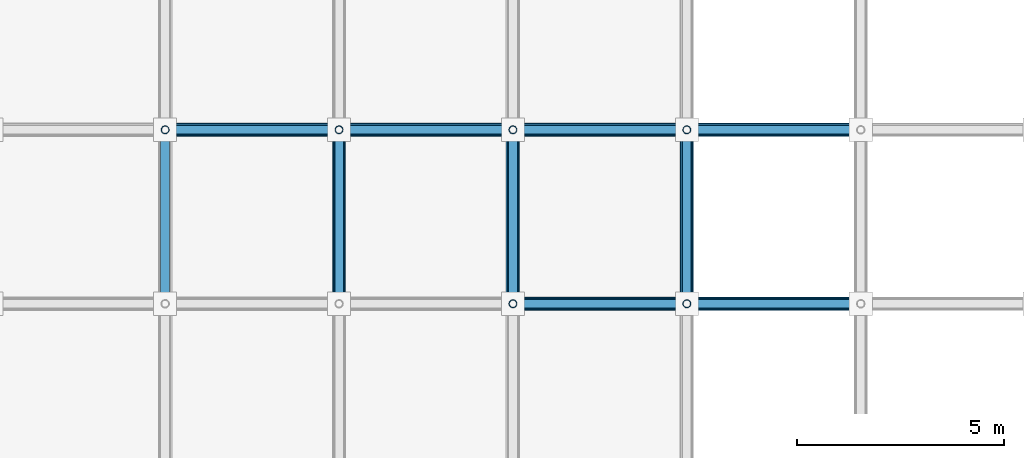
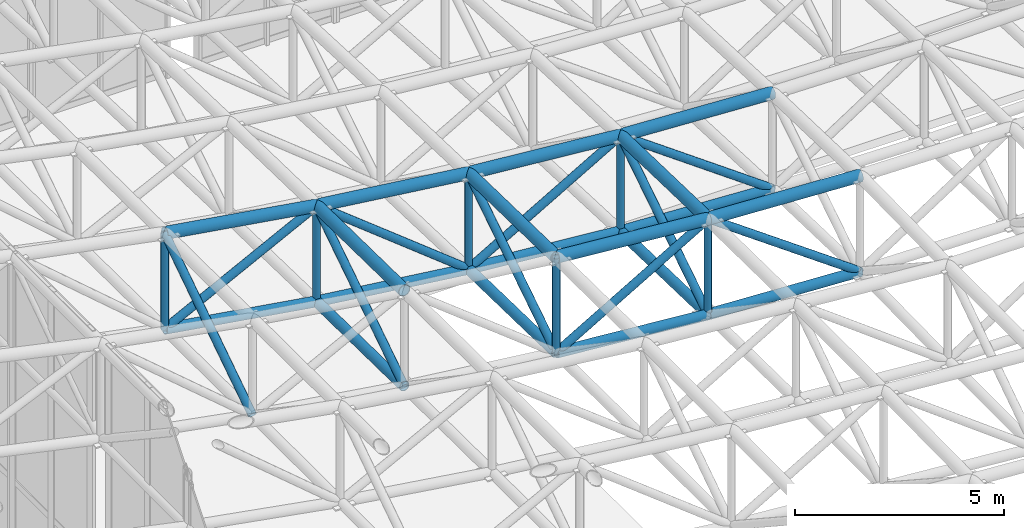
# One storey, part 25 of 93: 34 members.
"""IFC4 building model written with IfcOpenShell, lengths in metres."""

from ifc_helpers import new_model, si_unit, direction, frame, origin, origin_2d, place, context, subcontext, project, spatial, hollow_circle, extrude, material, material_profile, profile_set, type_object, element, save


model = new_model("IFC4")

# Units and contexts
model_context = context("Model", 3, precision=1e-05, world=origin(), true_north=direction((0.0, 1.0)))
body_context = subcontext(model_context, "Body", "Model", "MODEL_VIEW")
ifc_project = project(units=[si_unit("LENGTHUNIT", "METRE"), si_unit("AREAUNIT", "SQUARE_METRE"), si_unit("VOLUMEUNIT", "CUBIC_METRE"), si_unit("PLANEANGLEUNIT", "RADIAN"), si_unit("MASSUNIT", "GRAM", prefix="KILO")], contexts=[model_context])

# Site, building, storey
site_placement = place(None, origin())
site = spatial("IfcSite", under=ifc_project, at=site_placement, CompositionType="ELEMENT")
building_placement = place(site_placement, origin())
building = spatial("IfcBuilding", under=site, at=building_placement, Name="Cumbredor Promenade Congress Hotel", CompositionType="ELEMENT")
storey_placement = place(building_placement, frame((0.0, 0.0, 21.840087890625)))
storey = spatial("IfcBuildingStorey", under=building, at=storey_placement, Name="L06", CompositionType="ELEMENT", Elevation=21.840087890625)

# Members
ifc_material = material(Name="Steel ASTM A500 Grade C", Category="steel")
ifc_material_profile_1 = material_profile(ifc_material, hollow_circle(Radius=0.136474609375, WallThickness=0.01611328125, at=origin_2d()), Name="CHS 273.0x16")
ifc_profile_set_1 = profile_set([ifc_material_profile_1], Name="Steel ASTM A500 Grade C")
member_type_1 = type_object("IfcMemberType", Name="Plenary Roof Space Frame Bottom Chord", PredefinedType="CHORD", material=ifc_profile_set_1)
member_1_placement = place(storey_placement, frame((21.0, 42.0, 8.49560546875), z_axis=(0.996534162961, 0.0, -0.083184506075), x_axis=(0.0, 1.0, 0.0)))
element("IfcMember", 1, at=member_1_placement, inside=storey, type_object=member_type_1, Name="Plenary Congress Hall X Bottom Chord 7.11", PredefinedType="CHORD", context=body_context, shape_type="SweptSolid", body=[
    extrude(hollow_circle(Radius=0.136474609375, WallThickness=0.01611328125, at=origin_2d()), origin(), (0.0, 0.0, 1.0), 4.214599609375),
])
member_2_placement = place(storey_placement, frame((25.199951171875, 42.0, 8.14501953125), z_axis=(0.998749876407, 0.0, -0.049986842038), x_axis=(0.0, 1.0, 0.0)))
element("IfcMember", 2, at=member_2_placement, inside=storey, type_object=member_type_1, Name="Plenary Congress Hall X Bottom Chord 8.11", PredefinedType="CHORD", context=body_context, shape_type="SweptSolid", body=[
    extrude(hollow_circle(Radius=0.136474609375, WallThickness=0.01611328125, at=origin_2d()), origin(), (0.0, 0.0, 1.0), 4.205322265625),
])
member_3_placement = place(storey_placement, frame((12.60009765625, 46.199951171875, 9.58740234375), z_axis=(0.987578889186, 0.0, -0.157123956269), x_axis=(0.0, 1.0, 0.0)))
element("IfcMember", 3, at=member_3_placement, inside=storey, type_object=member_type_1, Name="Plenary Congress Hall X Bottom Chord 5.12", PredefinedType="CHORD", context=body_context, shape_type="SweptSolid", body=[
    extrude(hollow_circle(Radius=0.136474609375, WallThickness=0.01611328125, at=origin_2d()), origin(), (0.0, 0.0, 1.0), 4.252685546875),
])
member_4_placement = place(storey_placement, frame((16.800048828125, 46.199951171875, 8.919189453125), z_axis=(0.992435931335, 0.0, -0.12276368435), x_axis=(0.0, 1.0, 0.0)))
element("IfcMember", 4, at=member_4_placement, inside=storey, type_object=member_type_1, Name="Plenary Congress Hall X Bottom Chord 6.12", PredefinedType="CHORD", context=body_context, shape_type="SweptSolid", body=[
    extrude(hollow_circle(Radius=0.136474609375, WallThickness=0.01611328125, at=origin_2d()), origin(), (0.0, 0.0, 1.0), 4.23193359375),
])
member_5_placement = place(storey_placement, frame((21.0, 46.199951171875, 8.399658203125), z_axis=(0.996124331019, 0.0, -0.087956336617), x_axis=(0.0, 1.0, 0.0)))
element("IfcMember", 5, at=member_5_placement, inside=storey, type_object=member_type_1, Name="Plenary Congress Hall X Bottom Chord 7.12", PredefinedType="CHORD", context=body_context, shape_type="SweptSolid", body=[
    extrude(hollow_circle(Radius=0.136474609375, WallThickness=0.01611328125, at=origin_2d()), origin(), (0.0, 0.0, 1.0), 4.21630859375),
])
member_6_placement = place(storey_placement, frame((25.199951171875, 46.199951171875, 8.02880859375), z_axis=(0.998597712555, 0.0, -0.052939668305), x_axis=(0.0, 1.0, 0.0)))
element("IfcMember", 6, at=member_6_placement, inside=storey, type_object=member_type_1, Name="Plenary Congress Hall X Bottom Chord 8.12", PredefinedType="CHORD", context=body_context, shape_type="SweptSolid", body=[
    extrude(hollow_circle(Radius=0.136474609375, WallThickness=0.01611328125, at=origin_2d()), origin(), (0.0, 0.0, 1.0), 4.205810546875),
])
member_7_placement = place(storey_placement, frame((16.800048828125, 42.0, 8.98583984375), z_axis=(0.0, 0.999874106038, -0.015867327265), x_axis=(-1.0, 0.0, 0.0)))
element("IfcMember", 7, at=member_7_placement, inside=storey, type_object=member_type_1, Name="Plenary Congress Hall Y Bottom Chord 6.11", PredefinedType="CHORD", context=body_context, shape_type="SweptSolid", body=[
    extrude(hollow_circle(Radius=0.136474609375, WallThickness=0.01611328125, at=origin_2d()), origin(), (0.0, 0.0, 1.0), 4.200439453125),
])
member_8_placement = place(storey_placement, frame((21.0, 42.0, 8.49560546875), z_axis=(0.0, 0.999739158447, -0.022838893755), x_axis=(-1.0, 0.0, 0.0)))
element("IfcMember", 8, at=member_8_placement, inside=storey, type_object=member_type_1, Name="Plenary Congress Hall Y Bottom Chord 7.11", PredefinedType="CHORD", context=body_context, shape_type="SweptSolid", body=[
    extrude(hollow_circle(Radius=0.136474609375, WallThickness=0.01611328125, at=origin_2d()), origin(), (0.0, 0.0, 1.0), 4.200927734375),
])
member_9_placement = place(storey_placement, frame((25.199951171875, 42.0, 8.14501953125), z_axis=(0.0, 0.999617416492, -0.027659006583), x_axis=(-1.0, 0.0, 0.0)))
element("IfcMember", 9, at=member_9_placement, inside=storey, type_object=member_type_1, Name="Plenary Congress Hall Y Bottom Chord 8.11", PredefinedType="CHORD", context=body_context, shape_type="SweptSolid", body=[
    extrude(hollow_circle(Radius=0.136474609375, WallThickness=0.01611328125, at=origin_2d()), origin(), (0.0, 0.0, 1.0), 4.20166015625),
])
ifc_material_profile_2 = material_profile(ifc_material, hollow_circle(Radius=0.161865234375, WallThickness=0.01611328125, at=origin_2d()), Name="CHS 323.9x16")
ifc_profile_set_2 = profile_set([ifc_material_profile_2], Name="Steel ASTM A500 Grade C")
member_type_2 = type_object("IfcMemberType", Name="Plenary Roof Space Frame Top Chord", PredefinedType="CHORD", material=ifc_profile_set_2)
member_10_placement = place(storey_placement, frame((21.0, 42.0, 11.29541015625), z_axis=(0.996538963329, 0.0, -0.083126978572), x_axis=(0.0, 1.0, 0.0)))
element("IfcMember", 10, at=member_10_placement, inside=storey, type_object=member_type_2, Name="Plenary Congress Hall X Top Chord 7.11", PredefinedType="CHORD", context=body_context, shape_type="SweptSolid", body=[
    extrude(hollow_circle(Radius=0.161865234375, WallThickness=0.01611328125, at=origin_2d()), origin(), (0.0, 0.0, 1.0), 4.214599609375),
])
member_11_placement = place(storey_placement, frame((25.199951171875, 42.0, 10.945068359375), z_axis=(0.998749876407, 0.0, -0.049986842038), x_axis=(0.0, 1.0, 0.0)))
element("IfcMember", 11, at=member_11_placement, inside=storey, type_object=member_type_2, Name="Plenary Congress Hall X Top Chord 8.11", PredefinedType="CHORD", context=body_context, shape_type="SweptSolid", body=[
    extrude(hollow_circle(Radius=0.161865234375, WallThickness=0.01611328125, at=origin_2d()), origin(), (0.0, 0.0, 1.0), 4.205322265625),
])
member_12_placement = place(storey_placement, frame((12.60009765625, 46.199951171875, 12.38720703125), z_axis=(0.987578889186, 0.0, -0.157123956269), x_axis=(0.0, 1.0, 0.0)))
element("IfcMember", 12, at=member_12_placement, inside=storey, type_object=member_type_2, Name="Plenary Congress Hall X Top Chord 5.12", PredefinedType="CHORD", context=body_context, shape_type="SweptSolid", body=[
    extrude(hollow_circle(Radius=0.161865234375, WallThickness=0.01611328125, at=origin_2d()), origin(), (0.0, 0.0, 1.0), 4.252685546875),
])
member_13_placement = place(storey_placement, frame((16.800048828125, 46.199951171875, 11.718994140625), z_axis=(0.992442958388, 0.0, -0.122706863483), x_axis=(0.0, 1.0, 0.0)))
element("IfcMember", 13, at=member_13_placement, inside=storey, type_object=member_type_2, Name="Plenary Congress Hall X Top Chord 6.12", PredefinedType="CHORD", context=body_context, shape_type="SweptSolid", body=[
    extrude(hollow_circle(Radius=0.161865234375, WallThickness=0.01611328125, at=origin_2d()), origin(), (0.0, 0.0, 1.0), 4.23193359375),
])
member_14_placement = place(storey_placement, frame((21.0, 46.199951171875, 11.19970703125), z_axis=(0.996119256094, 0.0, -0.088013792319), x_axis=(0.0, 1.0, 0.0)))
element("IfcMember", 14, at=member_14_placement, inside=storey, type_object=member_type_2, Name="Plenary Congress Hall X Top Chord 7.12", PredefinedType="CHORD", context=body_context, shape_type="SweptSolid", body=[
    extrude(hollow_circle(Radius=0.161865234375, WallThickness=0.01611328125, at=origin_2d()), origin(), (0.0, 0.0, 1.0), 4.21630859375),
])
member_15_placement = place(storey_placement, frame((25.199951171875, 46.199951171875, 10.82861328125), z_axis=(0.998600779613, 0.0, -0.052881782842), x_axis=(0.0, 1.0, 0.0)))
element("IfcMember", 15, at=member_15_placement, inside=storey, type_object=member_type_2, Name="Plenary Congress Hall X Top Chord 8.12", PredefinedType="CHORD", context=body_context, shape_type="SweptSolid", body=[
    extrude(hollow_circle(Radius=0.161865234375, WallThickness=0.01611328125, at=origin_2d()), origin(), (0.0, 0.0, 1.0), 4.205810546875),
])
member_16_placement = place(storey_placement, frame((16.800048828125, 42.0, 11.785888671875), z_axis=(0.0, 0.999873182225, -0.015925434629), x_axis=(-1.0, 0.0, 0.0)))
element("IfcMember", 16, at=member_16_placement, inside=storey, type_object=member_type_2, Name="Plenary Congress Hall Y Top Chord 6.11", PredefinedType="CHORD", context=body_context, shape_type="SweptSolid", body=[
    extrude(hollow_circle(Radius=0.161865234375, WallThickness=0.01611328125, at=origin_2d()), origin(), (0.0, 0.0, 1.0), 4.200439453125),
])
member_17_placement = place(storey_placement, frame((21.0, 42.0, 11.29541015625), z_axis=(0.0, 0.99974048368, -0.022780809719), x_axis=(-1.0, 0.0, 0.0)))
element("IfcMember", 17, at=member_17_placement, inside=storey, type_object=member_type_2, Name="Plenary Congress Hall Y Top Chord 7.11", PredefinedType="CHORD", context=body_context, shape_type="SweptSolid", body=[
    extrude(hollow_circle(Radius=0.161865234375, WallThickness=0.01611328125, at=origin_2d()), origin(), (0.0, 0.0, 1.0), 4.200927734375),
])
member_18_placement = place(storey_placement, frame((25.199951171875, 42.0, 10.945068359375), z_axis=(0.0, 0.999615808237, -0.027717069147), x_axis=(-1.0, 0.0, 0.0)))
element("IfcMember", 18, at=member_18_placement, inside=storey, type_object=member_type_2, Name="Plenary Congress Hall Y Top Chord 8.11", PredefinedType="CHORD", context=body_context, shape_type="SweptSolid", body=[
    extrude(hollow_circle(Radius=0.161865234375, WallThickness=0.01611328125, at=origin_2d()), origin(), (0.0, 0.0, 1.0), 4.20166015625),
])
ifc_material_profile_3 = material_profile(ifc_material, hollow_circle(Radius=0.109619140625, WallThickness=0.012451171875, at=origin_2d()), Name="CHS 219.1x12.5")
ifc_profile_set_3 = profile_set([ifc_material_profile_3], Name="Steel ASTM A500 Grade C")
member_type_3 = type_object("IfcMemberType", Name="Space Frame Web Diagonal D1", PredefinedType="BRACE", material=ifc_profile_set_3)
member_19_placement = place(storey_placement, frame((21.0, 42.0, 8.49560546875), z_axis=(0.863824427831, 0.0, 0.503792971251), x_axis=(0.0, 1.0, 0.0)))
element("IfcMember", 19, at=member_19_placement, inside=storey, type_object=member_type_3, Name="Plenary Congress Hall X Web Diagonal 7.11", PredefinedType="BRACE", context=body_context, shape_type="SweptSolid", body=[
    extrude(hollow_circle(Radius=0.109619140625, WallThickness=0.012451171875, at=origin_2d()), origin(), (0.0, 0.0, 1.0), 4.862060546875),
])
member_20_placement = place(storey_placement, frame((25.199951171875, 42.0, 10.945068359375), z_axis=(0.812790654872, 0.0, -0.58255587831), x_axis=(0.0, 1.0, 0.0)))
element("IfcMember", 20, at=member_20_placement, inside=storey, type_object=member_type_3, Name="Plenary Congress Hall X Web Diagonal 8.11", PredefinedType="BRACE", context=body_context, shape_type="SweptSolid", body=[
    extrude(hollow_circle(Radius=0.109619140625, WallThickness=0.012451171875, at=origin_2d()), origin(), (0.0, 0.0, 1.0), 5.167236328125),
])
member_21_placement = place(storey_placement, frame((12.60009765625, 46.199951171875, 9.58740234375), z_axis=(0.891725991042, 0.0, 0.452575691902), x_axis=(0.0, 1.0, 0.0)))
element("IfcMember", 21, at=member_21_placement, inside=storey, type_object=member_type_3, Name="Plenary Congress Hall X Web Diagonal 5.12", PredefinedType="BRACE", context=body_context, shape_type="SweptSolid", body=[
    extrude(hollow_circle(Radius=0.109619140625, WallThickness=0.012451171875, at=origin_2d()), origin(), (0.0, 0.0, 1.0), 4.7099609375),
])
member_22_placement = place(storey_placement, frame((16.800048828125, 46.199951171875, 11.718994140625), z_axis=(0.784556956827, 0.0, -0.620056756672), x_axis=(0.0, 1.0, 0.0)))
element("IfcMember", 22, at=member_22_placement, inside=storey, type_object=member_type_3, Name="Plenary Congress Hall X Web Diagonal 6.12", PredefinedType="BRACE", context=body_context, shape_type="SweptSolid", body=[
    extrude(hollow_circle(Radius=0.109619140625, WallThickness=0.012451171875, at=origin_2d()), origin(), (0.0, 0.0, 1.0), 5.353271484375),
])
member_23_placement = place(storey_placement, frame((21.0, 46.199951171875, 8.399658203125), z_axis=(0.865658166697, 0.0, 0.500635534527), x_axis=(0.0, 1.0, 0.0)))
element("IfcMember", 23, at=member_23_placement, inside=storey, type_object=member_type_3, Name="Plenary Congress Hall X Web Diagonal 7.12", PredefinedType="BRACE", context=body_context, shape_type="SweptSolid", body=[
    extrude(hollow_circle(Radius=0.109619140625, WallThickness=0.012451171875, at=origin_2d()), origin(), (0.0, 0.0, 1.0), 4.851806640625),
])
member_24_placement = place(storey_placement, frame((25.199951171875, 46.199951171875, 10.82861328125), z_axis=(0.81167213609, 0.0, -0.584113296797), x_axis=(0.0, 1.0, 0.0)))
element("IfcMember", 24, at=member_24_placement, inside=storey, type_object=member_type_3, Name="Plenary Congress Hall X Web Diagonal 8.12", PredefinedType="BRACE", context=body_context, shape_type="SweptSolid", body=[
    extrude(hollow_circle(Radius=0.109619140625, WallThickness=0.012451171875, at=origin_2d()), origin(), (0.0, 0.0, 1.0), 5.174560546875),
])
member_25_placement = place(storey_placement, frame((12.60009765625, 42.0, 9.61669921875), z_axis=(0.0, 0.834742783415, 0.550640068953), x_axis=(-1.0, 0.0, 0.0)))
element("IfcMember", 25, at=member_25_placement, inside=storey, type_object=member_type_3, Name="Plenary Congress Hall Y Web Diagonal 5.11", PredefinedType="BRACE", context=body_context, shape_type="SweptSolid", body=[
    extrude(hollow_circle(Radius=0.109619140625, WallThickness=0.012451171875, at=origin_2d()), origin(), (0.0, 0.0, 1.0), 5.031494140625),
])
member_26_placement = place(storey_placement, frame((16.800048828125, 42.0, 8.98583984375), z_axis=(0.0, 0.838152967359, 0.545435242085), x_axis=(-1.0, 0.0, 0.0)))
element("IfcMember", 26, at=member_26_placement, inside=storey, type_object=member_type_3, Name="Plenary Congress Hall Y Web Diagonal 6.11", PredefinedType="BRACE", context=body_context, shape_type="SweptSolid", body=[
    extrude(hollow_circle(Radius=0.109619140625, WallThickness=0.012451171875, at=origin_2d()), origin(), (0.0, 0.0, 1.0), 5.010986328125),
])
member_27_placement = place(storey_placement, frame((21.0, 42.0, 8.49560546875), z_axis=(0.0, 0.840801914135, 0.541342905363), x_axis=(-1.0, 0.0, 0.0)))
element("IfcMember", 27, at=member_27_placement, inside=storey, type_object=member_type_3, Name="Plenary Congress Hall Y Web Diagonal 7.11", PredefinedType="BRACE", context=body_context, shape_type="SweptSolid", body=[
    extrude(hollow_circle(Radius=0.109619140625, WallThickness=0.012451171875, at=origin_2d()), origin(), (0.0, 0.0, 1.0), 4.9951171875),
])
member_28_placement = place(storey_placement, frame((25.199951171875, 42.0, 8.14501953125), z_axis=(0.0, 0.84266971355, 0.538430825516), x_axis=(-1.0, 0.0, 0.0)))
element("IfcMember", 28, at=member_28_placement, inside=storey, type_object=member_type_3, Name="Plenary Congress Hall Y Web Diagonal 8.11", PredefinedType="BRACE", context=body_context, shape_type="SweptSolid", body=[
    extrude(hollow_circle(Radius=0.109619140625, WallThickness=0.012451171875, at=origin_2d()), origin(), (0.0, 0.0, 1.0), 4.984130859375),
])
ifc_material_profile_4 = material_profile(ifc_material, hollow_circle(Radius=0.096923828125, WallThickness=0.010009765625, at=origin_2d()), Name="CHS 193.7x10")
ifc_profile_set_4 = profile_set([ifc_material_profile_4], Name="Steel ASTM A500 Grade C")
member_type_4 = type_object("IfcMemberType", Name="Space Frame Web Post P1", PredefinedType="BRACE", material=ifc_profile_set_4)
for number, where, z_axis, x_axis, name in (
    (29, (12.60009765625, 46.199951171875, 9.58740234375), (0.0, 0.0, 1.0), (1.0, 0.0, 0.0), "Plenary Congress Hall Space Frame Web Post 5.12"),
    (30, (16.800048828125, 46.199951171875, 8.919189453125), (0.0, 0.0, 1.0), (1.0, 0.0, 0.0), "Plenary Congress Hall Space Frame Web Post 6.12"),
    (31, (21.0, 42.0, 8.49560546875), (0.0, 0.0, 1.0), (1.0, 0.0, 0.0), "Plenary Congress Hall Space Frame Web Post 7.11"),
):
    element("IfcMember", number, at=place(storey_placement, frame(where, z_axis=z_axis, x_axis=x_axis)), inside=storey, type_object=member_type_4, Name=name, PredefinedType="BRACE", context=body_context, shape_type="SweptSolid", body=[
        extrude(hollow_circle(Radius=0.096923828125, WallThickness=0.010009765625, at=origin_2d()), origin(), (0.0, 0.0, 1.0), 2.7998046875),
    ])
for number, where, z_axis, x_axis, name in (
    (32, (21.0, 46.199951171875, 8.399658203125), (0.0, 0.0, 1.0), (1.0, 0.0, 0.0), "Plenary Congress Hall Space Frame Web Post 7.12"),
    (33, (25.199951171875, 42.0, 8.14501953125), (0.0, 0.0, 1.0), (1.0, 0.0, 0.0), "Plenary Congress Hall Space Frame Web Post 8.11"),
):
    element("IfcMember", number, at=place(storey_placement, frame(where, z_axis=z_axis, x_axis=x_axis)), inside=storey, type_object=member_type_4, Name=name, PredefinedType="BRACE", context=body_context, shape_type="SweptSolid", body=[
        extrude(hollow_circle(Radius=0.096923828125, WallThickness=0.010009765625, at=origin_2d()), origin(), (0.0, 0.0, 1.0), 2.800048828125),
    ])
member_29_placement = place(storey_placement, frame((25.199951171875, 46.199951171875, 8.02880859375), z_axis=(0.0, 0.0, 1.0), x_axis=(1.0, 0.0, 0.0)))
element("IfcMember", 34, at=member_29_placement, inside=storey, type_object=member_type_4, Name="Plenary Congress Hall Space Frame Web Post 8.12", PredefinedType="BRACE", context=body_context, shape_type="SweptSolid", body=[
    extrude(hollow_circle(Radius=0.096923828125, WallThickness=0.010009765625, at=origin_2d()), origin(), (0.0, 0.0, 1.0), 2.7998046875),
])

save(model, "model.ifc")
